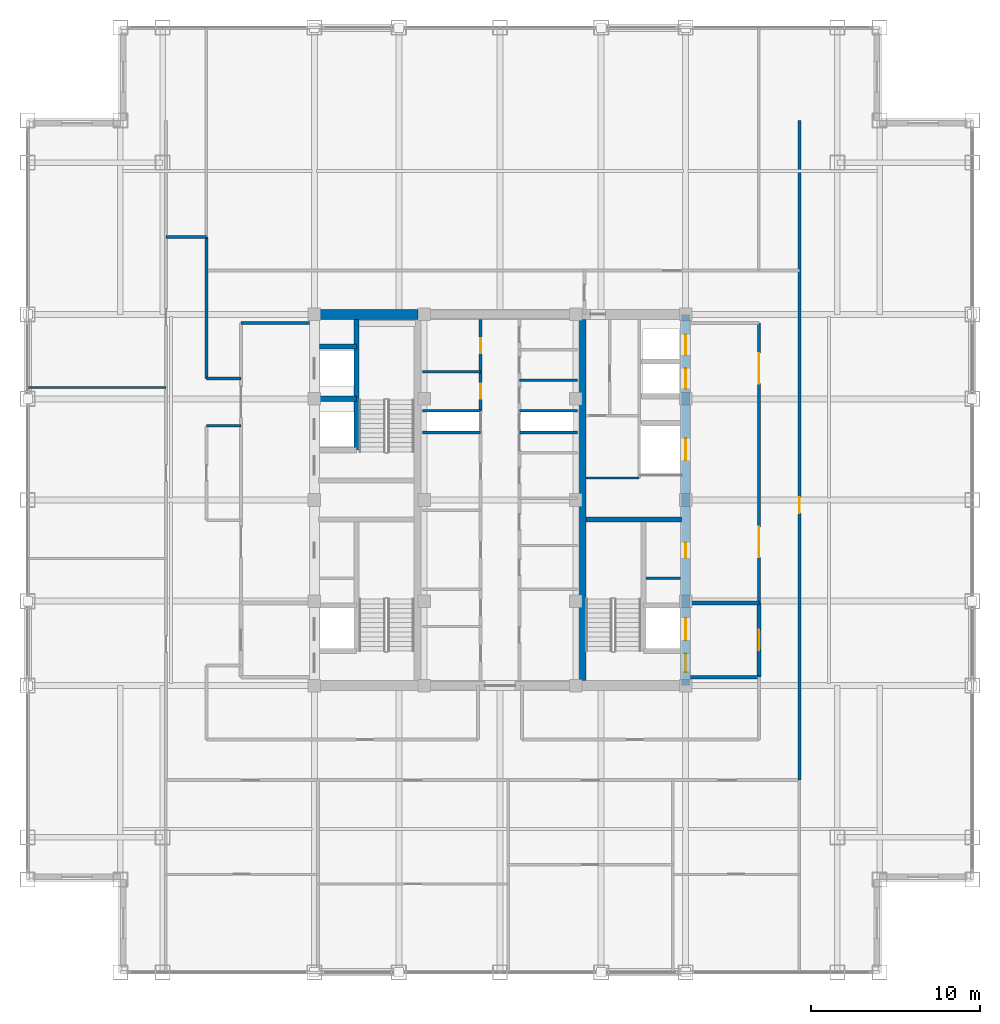
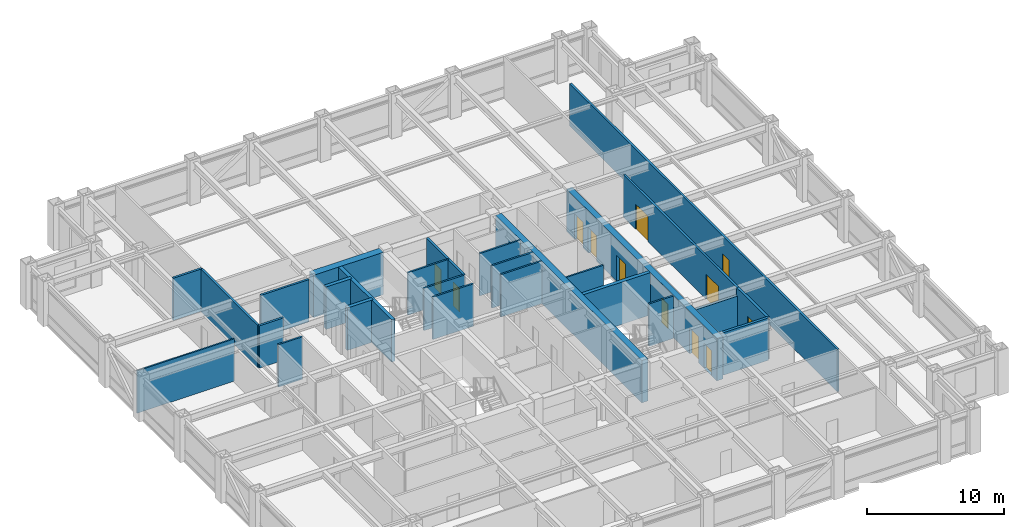
# One storey, part 20 of 22: 27 walls, 12 doors, 12 openings.
"""IFC4 building model written with IfcOpenShell, lengths in metres."""

from ifc_helpers import new_model, si_unit, direction, frame, frame_2d, origin, place, context, subcontext, project, spatial, rectangle, extrude, source, transform, mapped, material, layer, layer_set, type_object, element, fill, save


model = new_model("IFC4")

# Units and contexts
model_context = context("Model", 3, precision=1e-05, world=origin(), true_north=direction((0.0, 1.0)))
body_context = subcontext(model_context, "Body", "Model", "MODEL_VIEW")
ifc_project = project(units=[si_unit("LENGTHUNIT", "METRE"), si_unit("AREAUNIT", "SQUARE_METRE"), si_unit("VOLUMEUNIT", "CUBIC_METRE"), si_unit("PLANEANGLEUNIT", "RADIAN"), si_unit("MASSUNIT", "GRAM", prefix="KILO")], contexts=[model_context])

# Site, building, storey
site_placement = place(None, origin())
site = spatial("IfcSite", under=ifc_project, at=site_placement, CompositionType="ELEMENT")
building_placement = place(site_placement, origin())
building = spatial("IfcBuilding", under=site, at=building_placement, Name="Khorayat Bourse Tower", CompositionType="ELEMENT")
storey_placement = place(building_placement, frame((0.0, 0.0, 289.5)))
storey = spatial("IfcBuildingStorey", under=building, at=storey_placement, Name="L68", CompositionType="ELEMENT", Elevation=289.5)

# Wall, openings, doors
ifc_material_1 = material(Name="Concrete C52/65", Category="concrete")
ifc_layer_1 = layer(ifc_material_1, 0.5)
ifc_layer_set_1 = layer_set([ifc_layer_1], Name="Concrete C52/65")
wall_type_1 = type_object("IfcWallType", Name="WAL-CORE-500", PredefinedType="SHEAR", material=ifc_layer_set_1)
shared_shape_1 = source(origin(), body_context, "Body", "SweptSolid", [
    extrude(rectangle(XDim=22.0, YDim=0.5, at=frame_2d((11.0, 0.0))), origin(), (0.0, 0.0, 1.0), 3.780029296875),
])
wall_1_placement = place(storey_placement, frame((11.0, -11.0, 0.0), z_axis=(0.0, 0.0, 1.0), x_axis=(0.0, 1.0, 0.0)))
wall_1 = element("IfcWall", 1, at=wall_1_placement, inside=storey, type_object=wall_type_1, Name="L68 Core Shear Wall CORE-E", PredefinedType="SHEAR", context=body_context, shape_type="MappedRepresentation", body=[
    mapped(shared_shape_1, transform((0.0, 0.0, 0.0), scale=1.0)),
])
shared_shape_2 = source(origin(), body_context, "Body", "SweptSolid", [
    extrude(rectangle(XDim=1.10009765625, YDim=2.199951171875, at=frame_2d((0.550048828125, 1.10009765625))), frame((0.0, 0.260009765625, 0.0), z_axis=(0.0, -1.0, 0.0), x_axis=(1.0, 0.0, 0.0)), (0.0, 0.0, 1.0), 0.52001953125),
])
opening_1_placement = place(wall_1_placement, frame((0.800048828125, 0.0, 0.0)))
opening_1 = element("IfcOpeningElement", 2, at=opening_1_placement, cuts=wall_1, Name="Opening DI-01", PredefinedType="OPENING", context=body_context, shape_type="MappedRepresentation", body=[
    mapped(shared_shape_2, transform((0.0, 0.0, 0.0), scale=1.0)),
])
shared_shape_3 = source(origin(), body_context, "Body", "SweptSolid", [
    extrude(rectangle(XDim=0.89990234375, YDim=2.14990234375, at=frame_2d((0.449951171875, 1.074951171875))), frame((0.0, 0.260009765625, 0.0), z_axis=(0.0, -1.0, 0.0), x_axis=(1.0, 0.0, 0.0)), (0.0, 0.0, 1.0), 0.52001953125),
])
opening_2_placement = place(wall_1_placement, frame((7.574951171875, 0.0, 0.0)))
opening_2 = element("IfcOpeningElement", 3, at=opening_2_placement, cuts=wall_1, Name="Opening DI-06", PredefinedType="OPENING", context=body_context, shape_type="MappedRepresentation", body=[
    mapped(shared_shape_3, transform((0.0, 0.0, 0.0), scale=1.0)),
])
shared_shape_4 = source(origin(), body_context, "Body", "SweptSolid", [
    extrude(rectangle(XDim=1.199951171875, YDim=2.300048828125, at=frame_2d((0.60009765625, 1.14990234375))), frame((0.0, 0.260009765625, 0.0), z_axis=(0.0, -1.0, 0.0), x_axis=(1.0, 0.0, 0.0)), (0.0, 0.0, 1.0), 0.52001953125),
])
opening_3_placement = place(wall_1_placement, frame((17.60009765625, 0.0, 0.0)))
opening_3 = element("IfcOpeningElement", 4, at=opening_3_placement, cuts=wall_1, Name="Opening LD-01", PredefinedType="OPENING", context=body_context, shape_type="MappedRepresentation", body=[
    mapped(shared_shape_4, transform((0.0, 0.0, 0.0), scale=1.0)),
])
opening_4_placement = place(wall_1_placement, frame((19.60009765625, 0.0, 0.0)))
opening_4 = element("IfcOpeningElement", 5, at=opening_4_placement, cuts=wall_1, Name="Opening LD-01", PredefinedType="OPENING", context=body_context, shape_type="MappedRepresentation", body=[
    mapped(shared_shape_4, transform((0.0, 0.0, 0.0), scale=1.0)),
])
shared_shape_5 = source(origin(), body_context, "Body", "SweptSolid", [
    extrude(rectangle(XDim=1.300048828125, YDim=2.300048828125, at=frame_2d((0.64990234375, 1.14990234375))), frame((0.0, 0.260009765625, 0.0), z_axis=(0.0, -1.0, 0.0), x_axis=(1.0, 0.0, 0.0)), (0.0, 0.0, 1.0), 0.52001953125),
])
opening_5_placement = place(wall_1_placement, frame((2.699951171875, 0.0, 0.0)))
opening_5 = element("IfcOpeningElement", 6, at=opening_5_placement, cuts=wall_1, Name="Opening LD-02", PredefinedType="OPENING", context=body_context, shape_type="MappedRepresentation", body=[
    mapped(shared_shape_5, transform((0.0, 0.0, 0.0), scale=1.0)),
])
opening_6_placement = place(wall_1_placement, frame((13.35009765625, 0.0, 0.0)))
opening_6 = element("IfcOpeningElement", 7, at=opening_6_placement, cuts=wall_1, Name="Opening LD-02", PredefinedType="OPENING", context=body_context, shape_type="MappedRepresentation", body=[
    mapped(shared_shape_5, transform((0.0, 0.0, 0.0), scale=1.0)),
])
ifc_material_2 = material(Name="Fire-rated steel acoustic leaf", Category="steel")
door_type_1 = type_object("IfcDoorType", Name="DR-INT-STAIR-1100", OperationType="NOTDEFINED", PredefinedType="DOOR", material=ifc_material_2)
shared_shape_6 = source(origin(), body_context, "Body", "SweptSolid", [
    extrude(rectangle(XDim=1.10009765625, YDim=2.199951171875, at=frame_2d((0.550048828125, 1.10009765625))), frame((0.0, 0.02490234375, 0.0), z_axis=(0.0, -1.0, 0.0), x_axis=(1.0, 0.0, 0.0)), (0.0, 0.0, 1.0), 0.050048828125),
])
door_1_placement = place(opening_1_placement, origin())
door_1 = element("IfcDoor", 8, at=door_1_placement, inside=storey, type_object=door_type_1, Name="L68 Exit Stair 3 Door", OperationType="SINGLE_SWING_LEFT", OverallHeight=2.199951171875, OverallWidth=1.10009765625, PredefinedType="DOOR", context=body_context, shape_type="MappedRepresentation", body=[
    mapped(shared_shape_6, transform((0.0, 0.0, 0.0), scale=1.0)),
])
fill(opening_1, door_1)
ifc_material_3 = material(Name="Moisture-resistant laminate washroom door")
door_type_2 = type_object("IfcDoorType", Name="DR-INT-WC-900", OperationType="NOTDEFINED", PredefinedType="DOOR", material=ifc_material_3)
shared_shape_7 = source(origin(), body_context, "Body", "SweptSolid", [
    extrude(rectangle(XDim=0.89990234375, YDim=2.14990234375, at=frame_2d((0.449951171875, 1.074951171875))), frame((0.0, 0.02490234375, 0.0), z_axis=(0.0, -1.0, 0.0), x_axis=(1.0, 0.0, 0.0)), (0.0, 0.0, 1.0), 0.050048828125),
])
door_2_placement = place(opening_2_placement, origin())
door_2 = element("IfcDoor", 9, at=door_2_placement, inside=storey, type_object=door_type_2, Name="L68 Fiber Server Plant Room Door", OperationType="SINGLE_SWING_LEFT", OverallHeight=2.14990234375, OverallWidth=0.89990234375, PredefinedType="DOOR", context=body_context, shape_type="MappedRepresentation", body=[
    mapped(shared_shape_7, transform((0.0, 0.0, 0.0), scale=1.0)),
])
fill(opening_2, door_2)
ifc_material_4 = material(Name="Brushed bronze stainless-steel sliding door", Category="steel")
door_type_3 = type_object("IfcDoorType", Name="DR-LIFT-PASS-1200", OperationType="NOTDEFINED", PredefinedType="DOOR", material=ifc_material_4)
shared_shape_8 = source(origin(), body_context, "Body", "SweptSolid", [
    extrude(rectangle(XDim=1.199951171875, YDim=2.300048828125, at=frame_2d((0.60009765625, 1.14990234375))), frame((0.0, 0.02490234375, 0.0), z_axis=(0.0, -1.0, 0.0), x_axis=(1.0, 0.0, 0.0)), (0.0, 0.0, 1.0), 0.050048828125),
])
door_3_placement = place(opening_3_placement, origin())
door_3 = element("IfcDoor", 10, at=door_3_placement, inside=storey, type_object=door_type_3, Name="L68 Lift PL-H3 Sliding Landing Door", OperationType="SLIDING_TO_LEFT", OverallHeight=2.300048828125, OverallWidth=1.199951171875, PredefinedType="DOOR", context=body_context, shape_type="MappedRepresentation", body=[
    mapped(shared_shape_8, transform((0.0, 0.0, 0.0), scale=1.0)),
])
fill(opening_3, door_3)
door_4_placement = place(opening_4_placement, origin())
door_4 = element("IfcDoor", 11, at=door_4_placement, inside=storey, type_object=door_type_3, Name="L68 Lift PL-H4 Sliding Landing Door", OperationType="SLIDING_TO_LEFT", OverallHeight=2.300048828125, OverallWidth=1.199951171875, PredefinedType="DOOR", context=body_context, shape_type="MappedRepresentation", body=[
    mapped(shared_shape_8, transform((0.0, 0.0, 0.0), scale=1.0)),
])
fill(opening_4, door_4)
ifc_material_5 = material(Name="Fire-rated stainless-steel sliding landing door", Category="steel")
door_type_4 = type_object("IfcDoorType", Name="DR-LIFT-FF-1300", OperationType="NOTDEFINED", PredefinedType="DOOR", material=ifc_material_5)
shared_shape_9 = source(origin(), body_context, "Body", "SweptSolid", [
    extrude(rectangle(XDim=1.300048828125, YDim=2.300048828125, at=frame_2d((0.64990234375, 1.14990234375))), frame((0.0, 0.02490234375, 0.0), z_axis=(0.0, -1.0, 0.0), x_axis=(1.0, 0.0, 0.0)), (0.0, 0.0, 1.0), 0.050048828125),
])
door_5_placement = place(opening_5_placement, origin())
door_5 = element("IfcDoor", 12, at=door_5_placement, inside=storey, type_object=door_type_4, Name="L68 Lift FFL-02 Sliding Landing Door", OperationType="SLIDING_TO_LEFT", OverallHeight=2.300048828125, OverallWidth=1.300048828125, PredefinedType="DOOR", context=body_context, shape_type="MappedRepresentation", body=[
    mapped(shared_shape_9, transform((0.0, 0.0, 0.0), scale=1.0)),
])
fill(opening_5, door_5)
door_6_placement = place(opening_6_placement, origin())
door_6 = element("IfcDoor", 13, at=door_6_placement, inside=storey, type_object=door_type_4, Name="L68 Lift SVL-01 Sliding Landing Door", OperationType="SLIDING_TO_LEFT", OverallHeight=2.300048828125, OverallWidth=1.300048828125, PredefinedType="DOOR", context=body_context, shape_type="MappedRepresentation", body=[
    mapped(shared_shape_9, transform((0.0, 0.0, 0.0), scale=1.0)),
])
fill(opening_6, door_6)

# Walls
shared_shape_10 = source(origin(), body_context, "Body", "SweptSolid", [
    extrude(rectangle(XDim=21.39990234375, YDim=0.5, at=frame_2d((10.699951171875, 0.0))), origin(), (0.0, 0.0, 1.0), 3.780029296875),
])
wall_2_placement = place(storey_placement, frame((4.85009765625, -10.699951171875, 0.0), z_axis=(0.0, 0.0, 1.0), x_axis=(0.0, 1.0, 0.0)))
element("IfcWall", 14, at=wall_2_placement, inside=storey, type_object=wall_type_1, Name="L68 Core Shear Wall PIER-E", PredefinedType="SHEAR", context=body_context, shape_type="MappedRepresentation", body=[
    mapped(shared_shape_10, transform((0.0, 0.0, 0.0), scale=1.0)),
])
ifc_material_6 = material(Name="Concrete C60/75", Category="concrete")
ifc_layer_2 = layer(ifc_material_6, 0.60009765625)
ifc_layer_set_2 = layer_set([ifc_layer_2], Name="Concrete C60/75")
wall_type_2 = type_object("IfcWallType", Name="WAL-CORE-600", PredefinedType="SHEAR", material=ifc_layer_set_2)
shared_shape_11 = source(origin(), body_context, "Body", "SweptSolid", [
    extrude(rectangle(XDim=5.89990234375, YDim=0.60009765625, at=frame_2d((2.949951171875, 0.0))), origin(), (0.0, 0.0, 1.0), 3.780029296875),
])
wall_3_placement = place(storey_placement, frame((-10.75, 11.0, 0.0), z_axis=(0.0, 0.0, 1.0), x_axis=(1.0, 0.0, 0.0)))
element("IfcWall", 15, at=wall_3_placement, inside=storey, type_object=wall_type_2, Name="L68 Core Shear Wall PIER-WN", PredefinedType="SHEAR", context=body_context, shape_type="MappedRepresentation", body=[
    mapped(shared_shape_11, transform((0.0, 0.0, 0.0), scale=1.0)),
])
ifc_material_7 = material(Name="Concrete C50/60", Category="concrete")
ifc_layer_3 = layer(ifc_material_7, 0.300048828125)
ifc_layer_set_3 = layer_set([ifc_layer_3], Name="Concrete C50/60")
wall_type_3 = type_object("IfcWallType", Name="WAL-SHAFT-300", PredefinedType="SHEAR", material=ifc_layer_set_3)
shared_shape_12 = source(origin(), body_context, "Body", "SweptSolid", [
    extrude(rectangle(XDim=5.64990234375, YDim=0.300048828125, at=frame_2d((2.824951171875, 0.0))), origin(), (0.0, 0.0, 1.0), 3.780029296875),
])
wall_4_placement = place(storey_placement, frame((5.10009765625, -1.14990234375, 0.0), z_axis=(0.0, 0.0, 1.0), x_axis=(1.0, 0.0, 0.0)))
element("IfcWall", 16, at=wall_4_placement, inside=storey, type_object=wall_type_3, Name="L68 Core Shear Wall ST3-DIV", PredefinedType="SHEAR", context=body_context, shape_type="MappedRepresentation", body=[
    mapped(shared_shape_12, transform((0.0, 0.0, 0.0), scale=1.0)),
])
ifc_material_8 = material(Name="Aerated concrete blockwork", Category="masonry")
ifc_layer_4 = layer(ifc_material_8, 0.219970703125)
ifc_layer_set_4 = layer_set([ifc_layer_4], Name="Aerated concrete blockwork")
wall_type_4 = type_object("IfcWallType", Name="WAL-PART-FF-220", PredefinedType="PARTITIONING", material=ifc_layer_set_4)
shared_shape_13 = source(origin(), body_context, "Body", "SweptSolid", [
    extrude(rectangle(XDim=4.050048828125, YDim=0.219970703125, at=frame_2d((2.02490234375, 0.0))), origin(), (0.0, 0.0, 1.0), 3.0849609375),
])
wall_5_placement = place(storey_placement, frame((11.300048828125, -6.10009765625, 0.0), z_axis=(0.0, 0.0, 1.0), x_axis=(1.0, 0.0, 0.0)))
element("IfcWall", 17, at=wall_5_placement, inside=storey, type_object=wall_type_4, Name="L68 Partition WAL-L68-FFLE-N", PredefinedType="PARTITIONING", context=body_context, shape_type="MappedRepresentation", body=[
    mapped(shared_shape_13, transform((0.0, 0.0, 0.0), scale=1.0)),
])
shared_shape_14 = source(origin(), body_context, "Body", "SweptSolid", [
    extrude(rectangle(XDim=2.199951171875, YDim=0.300048828125, at=frame_2d((1.10009765625, 0.0))), origin(), (0.0, 0.0, 1.0), 3.780029296875),
])
for number, where, z_axis, x_axis, name in (
    (18, (-10.699951171875, 6.0, 0.0), (0.0, 0.0, 1.0), (1.0, 0.0, 0.0), "L68 Partition WAL-L68-WPIER-H12"),
    (19, (-10.699951171875, 9.10009765625, 0.0), (0.0, 0.0, 1.0), (1.0, 0.0, 0.0), "L68 Partition WAL-L68-WPIER-H2N"),
):
    element("IfcWall", number, at=place(storey_placement, frame(where, z_axis=z_axis, x_axis=x_axis)), inside=storey, type_object=wall_type_3, Name=name, PredefinedType="SHEAR", context=body_context, shape_type="MappedRepresentation", body=[
        mapped(shared_shape_14, transform((0.0, 0.0, 0.0), scale=1.0)),
    ])
shared_shape_15 = source(origin(), body_context, "Body", "SweptSolid", [
    extrude(rectangle(XDim=7.75, YDim=0.300048828125, at=frame_2d((3.875, 0.0))), origin(), (0.0, 0.0, 1.0), 3.780029296875),
])
wall_6_placement = place(storey_placement, frame((-8.5, 2.949951171875, 0.0), z_axis=(0.0, 0.0, 1.0), x_axis=(0.0, 1.0, 0.0)))
element("IfcWall", 20, at=wall_6_placement, inside=storey, type_object=wall_type_3, Name="L68 Partition WAL-L68-WPIER-ST2S", PredefinedType="SHEAR", context=body_context, shape_type="MappedRepresentation", body=[
    mapped(shared_shape_15, transform((0.0, 0.0, 0.0), scale=1.0)),
])
ifc_material_9 = material(Name="Gypsum plasterboard twin-frame partition")
ifc_layer_5 = layer(ifc_material_9, 0.14990234375)
ifc_layer_set_5 = layer_set([ifc_layer_5], Name="Gypsum plasterboard twin-frame partition")
wall_type_5 = type_object("IfcWallType", Name="WAL-PART-SUITE-150", PredefinedType="PARTITIONING", material=ifc_layer_set_5)
shared_shape_16 = source(origin(), body_context, "Body", "SweptSolid", [
    extrude(rectangle(XDim=2.050048828125, YDim=0.14990234375, at=frame_2d((1.02490234375, 0.0))), origin(), (0.0, 0.0, 1.0), 3.780029296875),
])
wall_7_placement = place(storey_placement, frame((8.64990234375, -4.64990234375, 0.0), z_axis=(0.0, 0.0, 1.0), x_axis=(1.0, 0.0, 0.0)))
element("IfcWall", 21, at=wall_7_placement, inside=storey, type_object=wall_type_5, Name="L68 Partition WAL-L68-ESRV-S0", PredefinedType="PARTITIONING", context=body_context, shape_type="MappedRepresentation", body=[
    mapped(shared_shape_16, transform((0.0, 0.0, 0.0), scale=1.0)),
])
ifc_material_10 = material(Name="Moisture-resistant masonry partition", Category="masonry")
ifc_layer_6 = layer(ifc_material_10, 0.139892578125)
ifc_layer_set_6 = layer_set([ifc_layer_6], Name="Moisture-resistant masonry partition")
wall_type_6 = type_object("IfcWallType", Name="WAL-PART-WET-140", PredefinedType="PARTITIONING", material=ifc_layer_set_6)
shared_shape_17 = source(origin(), body_context, "Body", "SweptSolid", [
    extrude(rectangle(XDim=3.14990234375, YDim=0.139892578125, at=frame_2d((1.574951171875, 0.0))), origin(), (0.0, 0.0, 1.0), 3.780029296875),
])
wall_8_placement = place(storey_placement, frame((5.10009765625, 1.300048828125, 0.0), z_axis=(0.0, 0.0, 1.0), x_axis=(1.0, 0.0, 0.0)))
element("IfcWall", 22, at=wall_8_placement, inside=storey, type_object=wall_type_6, Name="L68 Partition WAL-L68-ECORE-S", PredefinedType="PARTITIONING", context=body_context, shape_type="MappedRepresentation", body=[
    mapped(shared_shape_17, transform((0.0, 0.0, 0.0), scale=1.0)),
])
shared_shape_18 = source(origin(), body_context, "Body", "SweptSolid", [
    extrude(rectangle(XDim=4.050048828125, YDim=0.219970703125, at=frame_2d((2.02490234375, 0.0))), origin(), (0.0, 0.0, 1.0), 3.780029296875),
])
wall_9_placement = place(storey_placement, frame((11.300048828125, -10.5, 0.0), z_axis=(0.0, 0.0, 1.0), x_axis=(1.0, 0.0, 0.0)))
element("IfcWall", 23, at=wall_9_placement, inside=storey, type_object=wall_type_4, Name="L68 Partition WAL-L68-FFLE-S", PredefinedType="PARTITIONING", context=body_context, shape_type="MappedRepresentation", body=[
    mapped(shared_shape_18, transform((0.0, 0.0, 0.0), scale=1.0)),
])

# Wall, opening, door
shared_shape_19 = source(origin(), body_context, "Body", "SweptSolid", [
    extrude(rectangle(XDim=4.39990234375, YDim=0.219970703125, at=frame_2d((2.199951171875, 0.0))), origin(), (0.0, 0.0, 1.0), 3.780029296875),
])
wall_10_placement = place(storey_placement, frame((15.35009765625, -10.5, 0.0), z_axis=(0.0, 0.0, 1.0), x_axis=(0.0, 1.0, 0.0)))
wall_10 = element("IfcWall", 24, at=wall_10_placement, inside=storey, type_object=wall_type_4, Name="L68 Partition WAL-L68-FFLE-E", PredefinedType="PARTITIONING", context=body_context, shape_type="MappedRepresentation", body=[
    mapped(shared_shape_19, transform((0.0, 0.0, 0.0), scale=1.0)),
])
shared_shape_20 = source(origin(), body_context, "Body", "SweptSolid", [
    extrude(rectangle(XDim=1.199951171875, YDim=2.199951171875, at=frame_2d((0.60009765625, 1.10009765625))), frame((0.0, 0.119873046875, 0.0), z_axis=(0.0, -1.0, 0.0), x_axis=(1.0, 0.0, 0.0)), (0.0, 0.0, 1.0), 0.239990234375),
])
opening_7_placement = place(wall_10_placement, frame((1.60009765625, 0.0, 0.0)))
opening_7 = element("IfcOpeningElement", 25, at=opening_7_placement, cuts=wall_10, Name="Opening DI-02", PredefinedType="OPENING", context=body_context, shape_type="MappedRepresentation", body=[
    mapped(shared_shape_20, transform((0.0, 0.0, 0.0), scale=1.0)),
])
ifc_material_11 = material(Name="Fire-rated steel double-seal leaf", Category="steel")
door_type_5 = type_object("IfcDoorType", Name="DR-INT-FFLOBBY-1200", OperationType="NOTDEFINED", PredefinedType="DOOR", material=ifc_material_11)
shared_shape_21 = source(origin(), body_context, "Body", "SweptSolid", [
    extrude(rectangle(XDim=1.199951171875, YDim=2.199951171875, at=frame_2d((0.60009765625, 1.10009765625))), frame((0.0, 0.02490234375, 0.0), z_axis=(0.0, -1.0, 0.0), x_axis=(1.0, 0.0, 0.0)), (0.0, 0.0, 1.0), 0.050048828125),
])
door_7_placement = place(opening_7_placement, origin())
door_7 = element("IfcDoor", 26, at=door_7_placement, inside=storey, type_object=door_type_5, Name="L68 East Firefighting Lobby Door", OperationType="SINGLE_SWING_RIGHT", OverallHeight=2.199951171875, OverallWidth=1.199951171875, PredefinedType="DOOR", context=body_context, shape_type="MappedRepresentation", body=[
    mapped(shared_shape_21, transform((0.0, 0.0, 0.0), scale=1.0)),
])
fill(opening_7, door_7)

# Wall
ifc_material_12 = material(Name="Gypsum plasterboard acoustic stud wall")
ifc_layer_7 = layer(ifc_material_12, 0.179931640625)
ifc_layer_set_7 = layer_set([ifc_layer_7], Name="Gypsum plasterboard acoustic stud wall")
wall_type_7 = type_object("IfcWallType", Name="WAL-PART-CORR-180", PredefinedType="PARTITIONING", material=ifc_layer_set_7)
shared_shape_22 = source(origin(), body_context, "Body", "SweptSolid", [
    extrude(rectangle(XDim=4.050048828125, YDim=0.179931640625, at=frame_2d((2.02490234375, 0.0))), origin(), (0.0, 0.0, 1.0), 3.780029296875),
])
wall_11_placement = place(storey_placement, frame((-15.35009765625, 10.5, 0.0), z_axis=(0.0, 0.0, 1.0), x_axis=(1.0, 0.0, 0.0)))
element("IfcWall", 27, at=wall_11_placement, inside=storey, type_object=wall_type_7, Name="L68 Partition WAL-L68-WLOB-N", PredefinedType="PARTITIONING", context=body_context, shape_type="MappedRepresentation", body=[
    mapped(shared_shape_22, transform((0.0, 0.0, 0.0), scale=1.0)),
])

# Wall, openings, doors
shared_shape_23 = source(origin(), body_context, "Body", "SweptSolid", [
    extrude(rectangle(XDim=16.60009765625, YDim=0.179931640625, at=frame_2d((8.300048828125, 0.0))), origin(), (0.0, 0.0, 1.0), 3.780029296875),
])
wall_12_placement = place(storey_placement, frame((15.35009765625, -6.10009765625, 0.0), z_axis=(0.0, 0.0, 1.0), x_axis=(0.0, 1.0, 0.0)))
wall_12 = element("IfcWall", 28, at=wall_12_placement, inside=storey, type_object=wall_type_7, Name="L68 Partition WAL-L68-ELOB-E", PredefinedType="PARTITIONING", context=body_context, shape_type="MappedRepresentation", body=[
    mapped(shared_shape_23, transform((0.0, 0.0, 0.0), scale=1.0)),
])
shared_shape_24 = source(origin(), body_context, "Body", "SweptSolid", [
    extrude(rectangle(XDim=1.800048828125, YDim=2.25, at=frame_2d((0.89990234375, 1.125))), frame((0.0, 0.099853515625, 0.0), z_axis=(0.0, -1.0, 0.0), x_axis=(1.0, 0.0, 0.0)), (0.0, 0.0, 1.0), 0.199951171875),
])
opening_8_placement = place(wall_12_placement, frame((2.699951171875, 0.0, 0.0)))
opening_8 = element("IfcOpeningElement", 29, at=opening_8_placement, cuts=wall_12, Name="Opening DI-03", PredefinedType="OPENING", context=body_context, shape_type="MappedRepresentation", body=[
    mapped(shared_shape_24, transform((0.0, 0.0, 0.0), scale=1.0)),
])
opening_9_placement = place(wall_12_placement, frame((13.0, 0.0, 0.0)))
opening_9 = element("IfcOpeningElement", 30, at=opening_9_placement, cuts=wall_12, Name="Opening DI-03", PredefinedType="OPENING", context=body_context, shape_type="MappedRepresentation", body=[
    mapped(shared_shape_24, transform((0.0, 0.0, 0.0), scale=1.0)),
])
ifc_material_13 = material(Name="Fire-rated hardwood vision-panel double leaf", Category="wood")
door_type_6 = type_object("IfcDoorType", Name="DR-INT-CORR-1800", OperationType="NOTDEFINED", PredefinedType="DOOR", material=ifc_material_13)
shared_shape_25 = source(origin(), body_context, "Body", "SweptSolid", [
    extrude(rectangle(XDim=1.800048828125, YDim=2.25, at=frame_2d((0.89990234375, 1.125))), frame((0.0, 0.02490234375, 0.0), z_axis=(0.0, -1.0, 0.0), x_axis=(1.0, 0.0, 0.0)), (0.0, 0.0, 1.0), 0.050048828125),
])
door_8_placement = place(opening_8_placement, origin())
door_8 = element("IfcDoor", 31, at=door_8_placement, inside=storey, type_object=door_type_6, Name="L68 East Core Lobby South Door", OperationType="SINGLE_SWING_RIGHT", OverallHeight=2.25, OverallWidth=1.800048828125, PredefinedType="DOOR", context=body_context, shape_type="MappedRepresentation", body=[
    mapped(shared_shape_25, transform((0.0, 0.0, 0.0), scale=1.0)),
])
fill(opening_8, door_8)
door_9_placement = place(opening_9_placement, origin())
door_9 = element("IfcDoor", 32, at=door_9_placement, inside=storey, type_object=door_type_6, Name="L68 East Core Lobby North Door", OperationType="SINGLE_SWING_LEFT", OverallHeight=2.25, OverallWidth=1.800048828125, PredefinedType="DOOR", context=body_context, shape_type="MappedRepresentation", body=[
    mapped(shared_shape_25, transform((0.0, 0.0, 0.0), scale=1.0)),
])
fill(opening_9, door_9)

# Walls
shared_shape_26 = source(origin(), body_context, "Body", "SweptSolid", [
    extrude(rectangle(XDim=3.4501953125, YDim=0.14990234375, at=frame_2d((1.72509765625, 0.0))), origin(), (0.0, 0.0, 1.0), 3.780029296875),
])
for number, where, z_axis, x_axis, name in (
    (33, (-4.60009765625, 4.0, 0.0), (0.0, 0.0, 1.0), (1.0, 0.0, 0.0), "L68 Partition WAL-L68-CRSW-S"),
    (34, (1.14990234375, 4.0, 0.0), (0.0, 0.0, 1.0), (1.0, 0.0, 0.0), "L68 Partition WAL-L68-CRSE-S"),
    (35, (-4.60009765625, 5.300048828125, 0.0), (0.0, 0.0, 1.0), (1.0, 0.0, 0.0), "L68 Partition WAL-L68-FB2-SW"),
    (36, (1.14990234375, 5.300048828125, 0.0), (0.0, 0.0, 1.0), (1.0, 0.0, 0.0), "L68 Partition WAL-L68-FB2-SE"),
):
    element("IfcWall", number, at=place(storey_placement, frame(where, z_axis=z_axis, x_axis=x_axis)), inside=storey, type_object=wall_type_5, Name=name, PredefinedType="PARTITIONING", context=body_context, shape_type="MappedRepresentation", body=[
        mapped(shared_shape_26, transform((0.0, 0.0, 0.0), scale=1.0)),
    ])

# Wall, openings, doors
shared_shape_27 = source(origin(), body_context, "Body", "SweptSolid", [
    extrude(rectangle(XDim=5.39990234375, YDim=0.179931640625, at=frame_2d((2.699951171875, 0.0))), origin(), (0.0, 0.0, 1.0), 3.780029296875),
])
wall_13_placement = place(storey_placement, frame((-1.14990234375, 5.300048828125, 0.0), z_axis=(0.0, 0.0, 1.0), x_axis=(0.0, 1.0, 0.0)))
wall_13 = element("IfcWall", 37, at=wall_13_placement, inside=storey, type_object=wall_type_7, Name="L68 Partition WAL-L68-FB2W-L", PredefinedType="PARTITIONING", context=body_context, shape_type="MappedRepresentation", body=[
    mapped(shared_shape_27, transform((0.0, 0.0, 0.0), scale=1.0)),
])
shared_shape_28 = source(origin(), body_context, "Body", "SweptSolid", [
    extrude(rectangle(XDim=0.89990234375, YDim=2.14990234375, at=frame_2d((0.449951171875, 1.074951171875))), frame((0.0, 0.099853515625, 0.0), z_axis=(0.0, -1.0, 0.0), x_axis=(1.0, 0.0, 0.0)), (0.0, 0.0, 1.0), 0.199951171875),
])
opening_10_placement = place(wall_13_placement, frame((0.699951171875, 0.0, 0.0)))
opening_10 = element("IfcOpeningElement", 38, at=opening_10_placement, cuts=wall_13, Name="Opening DI-06", PredefinedType="OPENING", context=body_context, shape_type="MappedRepresentation", body=[
    mapped(shared_shape_28, transform((0.0, 0.0, 0.0), scale=1.0)),
])
opening_11_placement = place(wall_13_placement, frame((3.39990234375, 0.0, 0.0)))
opening_11 = element("IfcOpeningElement", 39, at=opening_11_placement, cuts=wall_13, Name="Opening DI-06", PredefinedType="OPENING", context=body_context, shape_type="MappedRepresentation", body=[
    mapped(shared_shape_28, transform((0.0, 0.0, 0.0), scale=1.0)),
])
door_10_placement = place(opening_10_placement, origin())
door_10 = element("IfcDoor", 40, at=door_10_placement, inside=storey, type_object=door_type_2, Name="L68 Board Archive Store Door", OperationType="SINGLE_SWING_RIGHT", OverallHeight=2.14990234375, OverallWidth=0.89990234375, PredefinedType="DOOR", context=body_context, shape_type="MappedRepresentation", body=[
    mapped(shared_shape_7, transform((0.0, 0.0, 0.0), scale=1.0)),
])
fill(opening_10, door_10)
door_11_placement = place(opening_11_placement, origin())
door_11 = element("IfcDoor", 41, at=door_11_placement, inside=storey, type_object=door_type_2, Name="L68 Smoke Control Plant Room Door", OperationType="SINGLE_SWING_LEFT", OverallHeight=2.14990234375, OverallWidth=0.89990234375, PredefinedType="DOOR", context=body_context, shape_type="MappedRepresentation", body=[
    mapped(shared_shape_7, transform((0.0, 0.0, 0.0), scale=1.0)),
])
fill(opening_11, door_11)

# Walls
shared_shape_29 = source(origin(), body_context, "Body", "SweptSolid", [
    extrude(rectangle(XDim=3.4501953125, YDim=0.139892578125, at=frame_2d((1.72509765625, 0.0))), origin(), (0.0, 0.0, 1.0), 3.780029296875),
])
for number, where, z_axis, x_axis, name in (
    (42, (-4.60009765625, 7.60009765625, 0.0), (0.0, 0.0, 1.0), (1.0, 0.0, 0.0), "L68 Partition WAL-L68-FB2W-D1"),
    (43, (1.14990234375, 7.10009765625, 0.0), (0.0, 0.0, 1.0), (1.0, 0.0, 0.0), "L68 Partition WAL-L68-FB2E-D1"),
):
    element("IfcWall", number, at=place(storey_placement, frame(where, z_axis=z_axis, x_axis=x_axis)), inside=storey, type_object=wall_type_6, Name=name, PredefinedType="PARTITIONING", context=body_context, shape_type="MappedRepresentation", body=[
        mapped(shared_shape_29, transform((0.0, 0.0, 0.0), scale=1.0)),
    ])
shared_shape_30 = source(origin(), body_context, "Body", "SweptSolid", [
    extrude(rectangle(XDim=2.0498046875, YDim=0.14990234375, at=frame_2d((1.02490234375, 0.0))), origin(), (0.0, 0.0, 1.0), 3.780029296875),
])
wall_14_placement = place(storey_placement, frame((-17.39990234375, 4.39990234375, 0.0), z_axis=(0.0, 0.0, 1.0), x_axis=(1.0, 0.0, 0.0)))
element("IfcWall", 44, at=wall_14_placement, inside=storey, type_object=wall_type_5, Name="L68 Partition WAL-L68-PKWM-N", PredefinedType="PARTITIONING", context=body_context, shape_type="MappedRepresentation", body=[
    mapped(shared_shape_30, transform((0.0, 0.0, 0.0), scale=1.0)),
])
shared_shape_31 = source(origin(), body_context, "Body", "SweptSolid", [
    extrude(rectangle(XDim=2.0498046875, YDim=0.179931640625, at=frame_2d((1.02490234375, 0.0))), origin(), (0.0, 0.0, 1.0), 3.780029296875),
])
wall_15_placement = place(storey_placement, frame((-17.39990234375, 7.199951171875, 0.0), z_axis=(0.0, 0.0, 1.0), x_axis=(1.0, 0.0, 0.0)))
element("IfcWall", 45, at=wall_15_placement, inside=storey, type_object=wall_type_7, Name="L68 Partition WAL-L68-THRWN-T", PredefinedType="PARTITIONING", context=body_context, shape_type="MappedRepresentation", body=[
    mapped(shared_shape_31, transform((0.0, 0.0, 0.0), scale=1.0)),
])
shared_shape_32 = source(origin(), body_context, "Body", "SweptSolid", [
    extrude(rectangle(XDim=8.400146484375, YDim=0.179931640625, at=frame_2d((4.2001953125, 0.0))), origin(), (0.0, 0.0, 1.0), 3.780029296875),
])
wall_16_placement = place(storey_placement, frame((-17.39990234375, 7.199951171875, 0.0), z_axis=(0.0, 0.0, 1.0), x_axis=(0.0, 1.0, 0.0)))
element("IfcWall", 46, at=wall_16_placement, inside=storey, type_object=wall_type_7, Name="L68 Partition WAL-L68-THRWN-N", PredefinedType="PARTITIONING", context=body_context, shape_type="MappedRepresentation", body=[
    mapped(shared_shape_32, transform((0.0, 0.0, 0.0), scale=1.0)),
])
shared_shape_33 = source(origin(), body_context, "Body", "SweptSolid", [
    extrude(rectangle(XDim=2.400146484375, YDim=0.179931640625, at=frame_2d((1.2001953125, 0.0))), origin(), (0.0, 0.0, 1.0), 3.780029296875),
])
wall_17_placement = place(storey_placement, frame((-19.800048828125, 15.60009765625, 0.0), z_axis=(0.0, 0.0, 1.0), x_axis=(1.0, 0.0, 0.0)))
element("IfcWall", 47, at=wall_17_placement, inside=storey, type_object=wall_type_7, Name="L68 Partition WAL-L68-GALW-N", PredefinedType="PARTITIONING", context=body_context, shape_type="MappedRepresentation", body=[
    mapped(shared_shape_33, transform((0.0, 0.0, 0.0), scale=1.0)),
])
ifc_material_14 = material(Name="Gypsum plasterboard partition")
ifc_layer_8 = layer(ifc_material_14, 0.125)
ifc_layer_set_8 = layer_set([ifc_layer_8], Name="Gypsum plasterboard partition")
wall_type_8 = type_object("IfcWallType", Name="WAL-PART-ROOM-125", PredefinedType="PARTITIONING", material=ifc_layer_set_8)
shared_shape_34 = source(origin(), body_context, "Body", "SweptSolid", [
    extrude(rectangle(XDim=8.199951171875, YDim=0.125, at=frame_2d((4.10009765625, 0.0))), origin(), (0.0, 0.0, 1.0), 3.780029296875),
])
wall_18_placement = place(storey_placement, frame((-28.0, 6.659912109375, 0.0), z_axis=(0.0, 0.0, 1.0), x_axis=(1.0, 0.0, 0.0)))
element("IfcWall", 48, at=wall_18_placement, inside=storey, type_object=wall_type_8, Name="L68 Partition WAL-L68-WDV-2", PredefinedType="PARTITIONING", context=body_context, shape_type="MappedRepresentation", body=[
    mapped(shared_shape_34, transform((0.0, 0.0, 0.0), scale=1.0)),
])

# Wall, opening, door
shared_shape_35 = source(origin(), body_context, "Body", "SweptSolid", [
    extrude(rectangle(XDim=39.10009765625, YDim=0.179931640625, at=frame_2d((19.550048828125, 0.0))), origin(), (0.0, 0.0, 1.0), 3.780029296875),
])
wall_19_placement = place(storey_placement, frame((17.75, -16.60009765625, 0.0), z_axis=(0.0, 0.0, 1.0), x_axis=(0.0, 1.0, 0.0)))
wall_19 = element("IfcWall", 49, at=wall_19_placement, inside=storey, type_object=wall_type_7, Name="L68 Partition WAL-L68-ECORR", PredefinedType="PARTITIONING", context=body_context, shape_type="MappedRepresentation", body=[
    mapped(shared_shape_35, transform((0.0, 0.0, 0.0), scale=1.0)),
])
shared_shape_36 = source(origin(), body_context, "Body", "SweptSolid", [
    extrude(rectangle(XDim=0.949951171875, YDim=2.14990234375, at=frame_2d((0.47509765625, 1.074951171875))), frame((0.0, 0.099853515625, 0.0), z_axis=(0.0, -1.0, 0.0), x_axis=(1.0, 0.0, 0.0)), (0.0, 0.0, 1.0), 0.199951171875),
])
opening_12_placement = place(wall_19_placement, frame((15.824951171875, 0.0, 0.0)))
opening_12 = element("IfcOpeningElement", 50, at=opening_12_placement, cuts=wall_19, Name="Opening DI-05", PredefinedType="OPENING", context=body_context, shape_type="MappedRepresentation", body=[
    mapped(shared_shape_36, transform((0.0, 0.0, 0.0), scale=1.0)),
])
ifc_material_15 = material(Name="Acoustic oak veneer office door")
door_type_7 = type_object("IfcDoorType", Name="DR-INT-OFFICE-950", OperationType="NOTDEFINED", PredefinedType="DOOR", material=ifc_material_15)
shared_shape_37 = source(origin(), body_context, "Body", "SweptSolid", [
    extrude(rectangle(XDim=0.949951171875, YDim=2.14990234375, at=frame_2d((0.47509765625, 1.074951171875))), frame((0.0, 0.02490234375, 0.0), z_axis=(0.0, -1.0, 0.0), x_axis=(1.0, 0.0, 0.0)), (0.0, 0.0, 1.0), 0.050048828125),
])
door_12_placement = place(opening_12_placement, origin())
door_12 = element("IfcDoor", 51, at=door_12_placement, inside=storey, type_object=door_type_7, Name="L68 Financial Training Classroom E1 Door", OperationType="SINGLE_SWING_RIGHT", OverallHeight=2.14990234375, OverallWidth=0.949951171875, PredefinedType="DOOR", context=body_context, shape_type="MappedRepresentation", body=[
    mapped(shared_shape_37, transform((0.0, 0.0, 0.0), scale=1.0)),
])
fill(opening_12, door_12)

save(model, "model.ifc")
